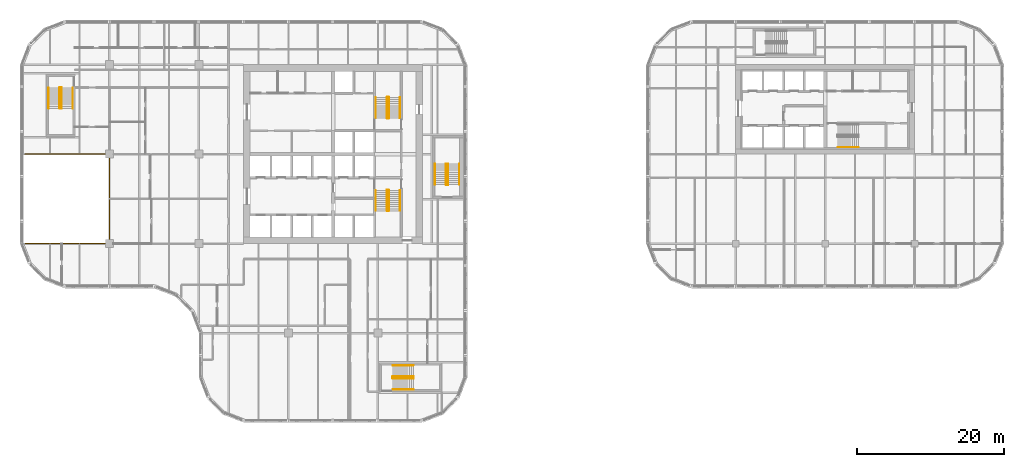
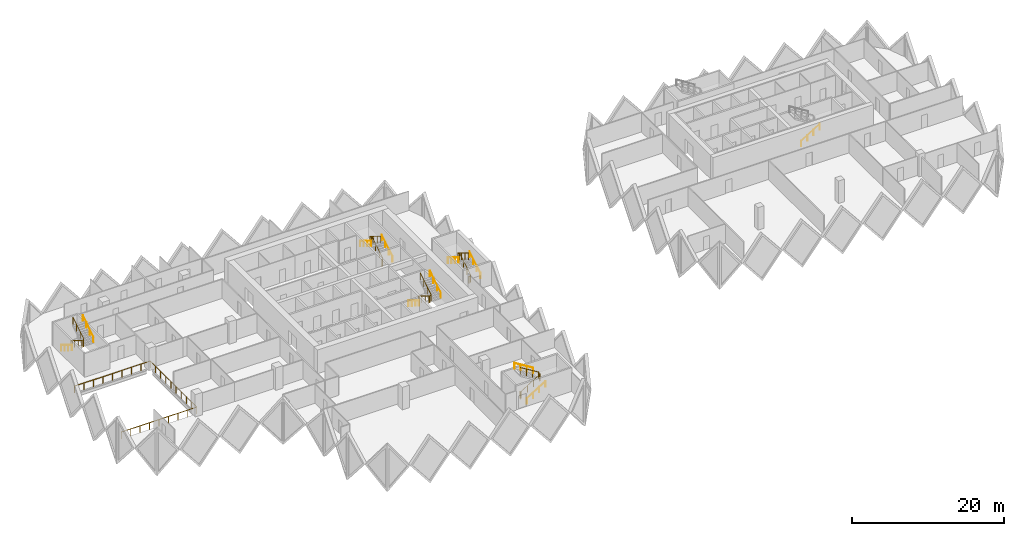
# One storey, part 17 of 18: 17 railings.
"""IFC4 building model written with IfcOpenShell, lengths in metres."""

from ifc_helpers import new_model, si_unit, direction, frame, origin, origin_2d, place, context, subcontext, project, spatial, circle, extrude, material, type_object, element, save


model = new_model("IFC4")

# Units and contexts
model_context = context("Model", 3, precision=1e-05, world=origin(), true_north=direction((0.0, 1.0)))
body_context = subcontext(model_context, "Body", "Model", "MODEL_VIEW")
ifc_project = project(units=[si_unit("LENGTHUNIT", "METRE"), si_unit("AREAUNIT", "SQUARE_METRE"), si_unit("VOLUMEUNIT", "CUBIC_METRE"), si_unit("PLANEANGLEUNIT", "RADIAN"), si_unit("MASSUNIT", "GRAM", prefix="KILO")], contexts=[model_context])

# Site, building, storey
site_placement = place(None, origin())
site = spatial("IfcSite", under=ifc_project, at=site_placement, CompositionType="ELEMENT")
building_placement = place(site_placement, origin())
building = spatial("IfcBuilding", under=site, at=building_placement, Name="Tessera Gate Towers", CompositionType="ELEMENT")
storey_placement = place(building_placement, frame((0.0, 0.0, 37.199951171875)))
storey = spatial("IfcBuildingStorey", under=building, at=storey_placement, Name="L08", CompositionType="ELEMENT", Elevation=37.199951171875)

# Railings
ifc_material_1 = material(Name="Toughened glass with stainless steel handrail", Category="steel")
railing_type_1 = type_object("IfcRailingType", Name="GUARD 1100 GLASS BALUSTRADE", PredefinedType="GUARDRAIL", material=ifc_material_1)
railing_1_placement = place(storey_placement, frame((0.750244140625, 24.39990234375, 0.0)))
element("IfcRailing", 1, at=railing_1_placement, inside=storey, type_object=railing_type_1, Name="Guard", PredefinedType="GUARDRAIL", context=body_context, shape_type="SweptSolid", body=[
    extrude(circle(Radius=0.02490234375, at=origin_2d()), frame((0.0, 0.0, 1.0751953125), z_axis=(1.0, 0.0, 0.0), x_axis=(0.0, 1.0, 0.0)), (0.0, 0.0, 1.0), 11.44970703125),
    extrude(circle(Radius=0.02490234375, at=origin_2d()), frame((11.44970703125, 0.0, 1.0751953125), z_axis=(0.0, 1.0, 0.0), x_axis=(-1.0, 0.0, 0.0)), (0.0, 0.0, 1.0), 12.2001953125),
    extrude(circle(Radius=0.02490234375, at=origin_2d()), frame((11.44970703125, 12.2001953125, 1.0751953125), z_axis=(-1.0, 0.0, 0.0), x_axis=(0.0, -1.0, 0.0)), (0.0, 0.0, 1.0), 11.5),
    extrude(circle(Radius=0.02490234375, at=origin_2d()), origin(), (0.0, 0.0, 1.0), 1.050048828125),
    extrude(circle(Radius=0.02490234375, at=origin_2d()), frame((1.43115234375, 0.0, 0.0)), (0.0, 0.0, 1.0), 1.050048828125),
    extrude(circle(Radius=0.02490234375, at=origin_2d()), frame((2.8623046875, 0.0, 0.0)), (0.0, 0.0, 1.0), 1.050048828125),
    extrude(circle(Radius=0.02490234375, at=origin_2d()), frame((4.293701171875, 0.0, 0.0)), (0.0, 0.0, 1.0), 1.050048828125),
    extrude(circle(Radius=0.02490234375, at=origin_2d()), frame((5.724853515625, 0.0, 0.0)), (0.0, 0.0, 1.0), 1.050048828125),
    extrude(circle(Radius=0.02490234375, at=origin_2d()), frame((7.156005859375, 0.0, 0.0)), (0.0, 0.0, 1.0), 1.050048828125),
    extrude(circle(Radius=0.02490234375, at=origin_2d()), frame((8.58740234375, 0.0, 0.0)), (0.0, 0.0, 1.0), 1.050048828125),
    extrude(circle(Radius=0.02490234375, at=origin_2d()), frame((10.0185546875, 0.0, 0.0)), (0.0, 0.0, 1.0), 1.050048828125),
    extrude(circle(Radius=0.02490234375, at=origin_2d()), frame((11.44970703125, 0.0, 0.0)), (0.0, 0.0, 1.0), 1.050048828125),
    extrude(circle(Radius=0.02490234375, at=origin_2d()), frame((11.44970703125, 1.35546875, 0.0)), (0.0, 0.0, 1.0), 1.050048828125),
    extrude(circle(Radius=0.02490234375, at=origin_2d()), frame((11.44970703125, 2.711181640625, 0.0)), (0.0, 0.0, 1.0), 1.050048828125),
    extrude(circle(Radius=0.02490234375, at=origin_2d()), frame((11.44970703125, 4.066650390625, 0.0)), (0.0, 0.0, 1.0), 1.050048828125),
    extrude(circle(Radius=0.02490234375, at=origin_2d()), frame((11.44970703125, 5.42236328125, 0.0)), (0.0, 0.0, 1.0), 1.050048828125),
    extrude(circle(Radius=0.02490234375, at=origin_2d()), frame((11.44970703125, 6.77783203125, 0.0)), (0.0, 0.0, 1.0), 1.050048828125),
    extrude(circle(Radius=0.02490234375, at=origin_2d()), frame((11.44970703125, 8.133544921875, 0.0)), (0.0, 0.0, 1.0), 1.050048828125),
    extrude(circle(Radius=0.02490234375, at=origin_2d()), frame((11.44970703125, 9.489013671875, 0.0)), (0.0, 0.0, 1.0), 1.050048828125),
    extrude(circle(Radius=0.02490234375, at=origin_2d()), frame((11.44970703125, 10.8447265625, 0.0)), (0.0, 0.0, 1.0), 1.050048828125),
    extrude(circle(Radius=0.02490234375, at=origin_2d()), frame((11.44970703125, 12.2001953125, 0.0)), (0.0, 0.0, 1.0), 1.050048828125),
    extrude(circle(Radius=0.02490234375, at=origin_2d()), frame((10.01220703125, 12.2001953125, 0.0)), (0.0, 0.0, 1.0), 1.050048828125),
    extrude(circle(Radius=0.02490234375, at=origin_2d()), frame((8.57470703125, 12.2001953125, 0.0)), (0.0, 0.0, 1.0), 1.050048828125),
    extrude(circle(Radius=0.02490234375, at=origin_2d()), frame((7.13720703125, 12.2001953125, 0.0)), (0.0, 0.0, 1.0), 1.050048828125),
    extrude(circle(Radius=0.02490234375, at=origin_2d()), frame((5.69970703125, 12.2001953125, 0.0)), (0.0, 0.0, 1.0), 1.050048828125),
    extrude(circle(Radius=0.02490234375, at=origin_2d()), frame((4.26220703125, 12.2001953125, 0.0)), (0.0, 0.0, 1.0), 1.050048828125),
    extrude(circle(Radius=0.02490234375, at=origin_2d()), frame((2.82470703125, 12.2001953125, 0.0)), (0.0, 0.0, 1.0), 1.050048828125),
    extrude(circle(Radius=0.02490234375, at=origin_2d()), frame((1.38720703125, 12.2001953125, 0.0)), (0.0, 0.0, 1.0), 1.050048828125),
    extrude(circle(Radius=0.02490234375, at=origin_2d()), frame((-0.05029296875, 12.2001953125, 0.0)), (0.0, 0.0, 1.0), 1.050048828125),
])
ifc_material_2 = material(Name="Steel 350W", Category="steel")
railing_type_2 = type_object("IfcRailingType", Name="STAIR GUARD 1100", PredefinedType="GUARDRAIL", material=ifc_material_2)
railing_2_placement = place(storey_placement, frame((50.27490234375, 31.72509765625, 0.0)))
element("IfcRailing", 2, at=railing_2_placement, inside=storey, type_object=railing_type_2, Name="L08 ST1 stair guard 1", PredefinedType="GUARDRAIL", context=body_context, shape_type="SweptSolid", body=[
    extrude(circle(Radius=0.02392578125, at=origin_2d()), frame((0.0, 0.0, 1.076171875), z_axis=(-1.0, 0.0, 0.0), x_axis=(0.0, -1.0, 0.0)), (0.0, 0.0, 1.0), 0.199951171875),
    extrude(circle(Radius=0.02392578125, at=origin_2d()), frame((-0.199951171875, 0.0, 1.076171875), z_axis=(-0.267953482034, -0.267953482034, 0.925419830635), x_axis=(0.707106781187, -0.707106781187, 0.0)), (0.0, 0.0, 1.0), 0.186767578125),
    extrude(circle(Radius=0.02392578125, at=origin_2d()), frame((-0.25, -0.050048828125, 1.2490234375), z_axis=(0.0, -0.851089632645, 0.525020415988), x_axis=(1.0, 0.0, 0.0)), (0.0, 0.0, 1.0), 3.2900390625),
    extrude(circle(Radius=0.02392578125, at=origin_2d()), frame((-0.25, -2.85009765625, 2.97607421875), z_axis=(0.707106781187, -0.707106781187, 0.0), x_axis=(0.707106781187, 0.707106781187, 0.0)), (0.0, 0.0, 1.0), 0.07080078125),
    extrude(circle(Radius=0.02392578125, at=origin_2d()), frame((-0.199951171875, -2.900146484375, 2.97607421875), z_axis=(1.0, 0.0, 0.0), x_axis=(0.0, 1.0, 0.0)), (0.0, 0.0, 1.0), 0.199951171875),
    extrude(circle(Radius=0.02392578125, at=origin_2d()), frame((0.0, -2.900146484375, 2.97607421875), z_axis=(0.268277960024, 0.268277960024, 0.925231793839), x_axis=(-0.707106781187, 0.707106781187, 0.0)), (0.0, 0.0, 1.0), 0.1865234375),
    extrude(circle(Radius=0.02392578125, at=origin_2d()), frame((0.050048828125, -2.85009765625, 3.14892578125), z_axis=(0.0, 0.851089632645, 0.525020415988), x_axis=(-1.0, 0.0, 0.0)), (0.0, 0.0, 1.0), 3.2900390625),
    extrude(circle(Radius=0.02099609375, at=origin_2d()), origin(), (0.0, 0.0, 1.0), 1.052001953125),
    extrude(circle(Radius=0.02099609375, at=origin_2d()), frame((-0.199951171875, 0.0, 0.0)), (0.0, 0.0, 1.0), 1.052001953125),
    extrude(circle(Radius=0.02099609375, at=origin_2d()), frame((-0.25, -0.050048828125, 0.1728515625)), (0.0, 0.0, 1.0), 1.052001953125),
    extrude(circle(Radius=0.02099609375, at=origin_2d()), frame((-0.25, -0.9833984375, 0.74853515625)), (0.0, 0.0, 1.0), 1.052001953125),
    extrude(circle(Radius=0.02099609375, at=origin_2d()), frame((-0.25, -1.916748046875, 1.324462890625)), (0.0, 0.0, 1.0), 1.052001953125),
    extrude(circle(Radius=0.02099609375, at=origin_2d()), frame((-0.25, -2.85009765625, 1.900146484375)), (0.0, 0.0, 1.0), 1.052001953125),
    extrude(circle(Radius=0.02099609375, at=origin_2d()), frame((-0.199951171875, -2.900146484375, 1.900146484375)), (0.0, 0.0, 1.0), 1.052001953125),
    extrude(circle(Radius=0.02099609375, at=origin_2d()), frame((0.0, -2.900146484375, 1.900146484375)), (0.0, 0.0, 1.0), 1.052001953125),
    extrude(circle(Radius=0.02099609375, at=origin_2d()), frame((0.050048828125, -2.85009765625, 2.07275390625)), (0.0, 0.0, 1.0), 1.052001953125),
    extrude(circle(Radius=0.02099609375, at=origin_2d()), frame((0.050048828125, -1.916748046875, 2.6484375)), (0.0, 0.0, 1.0), 1.052001953125),
    extrude(circle(Radius=0.02099609375, at=origin_2d()), frame((0.050048828125, -0.9833984375, 3.224365234375)), (0.0, 0.0, 1.0), 1.052001953125),
    extrude(circle(Radius=0.02099609375, at=origin_2d()), frame((0.050048828125, -0.050048828125, 3.800048828125)), (0.0, 0.0, 1.0), 1.052001953125),
])
railing_3_placement = place(storey_placement, frame((50.074951171875, 41.47509765625, 0.0)))
element("IfcRailing", 3, at=railing_3_placement, inside=storey, type_object=railing_type_2, Name="L08 ST2 stair guard 1", PredefinedType="GUARDRAIL", context=body_context, shape_type="SweptSolid", body=[
    extrude(circle(Radius=0.02392578125, at=origin_2d()), frame((0.0, 0.0, 1.076171875), z_axis=(1.0, 0.0, 0.0), x_axis=(0.0, 1.0, 0.0)), (0.0, 0.0, 1.0), 0.199951171875),
    extrude(circle(Radius=0.02392578125, at=origin_2d()), frame((0.199951171875, 0.0, 1.076171875), z_axis=(0.268047150085, 0.266739603011, 0.925743328097), x_axis=(-0.705375805398, 0.708833529934, 0.0)), (0.0, 0.0, 1.0), 0.186767578125),
    extrude(circle(Radius=0.02392578125, at=origin_2d()), frame((0.25, 0.0498046875, 1.2490234375), z_axis=(0.0, 0.851089632645, 0.525020415988), x_axis=(-1.0, 0.0, 0.0)), (0.0, 0.0, 1.0), 3.2900390625),
    extrude(circle(Radius=0.02392578125, at=origin_2d()), frame((0.25, 2.849853515625, 2.97607421875), z_axis=(-0.707106781187, 0.707106781187, 0.0), x_axis=(-0.707106781187, -0.707106781187, 0.0)), (0.0, 0.0, 1.0), 0.07080078125),
    extrude(circle(Radius=0.02392578125, at=origin_2d()), frame((0.199951171875, 2.89990234375, 2.97607421875), z_axis=(-1.0, 0.0, 0.0), x_axis=(0.0, -1.0, 0.0)), (0.0, 0.0, 1.0), 0.199951171875),
    extrude(circle(Radius=0.02392578125, at=origin_2d()), frame((0.0, 2.89990234375, 2.97607421875), z_axis=(-0.268277960024, -0.268277960024, 0.925231793839), x_axis=(0.707106781187, -0.707106781187, 0.0)), (0.0, 0.0, 1.0), 0.1865234375),
    extrude(circle(Radius=0.02392578125, at=origin_2d()), frame((-0.050048828125, 2.849853515625, 3.14892578125), z_axis=(0.0, -0.851089632645, 0.525020415988), x_axis=(1.0, 0.0, 0.0)), (0.0, 0.0, 1.0), 3.2900390625),
    extrude(circle(Radius=0.02099609375, at=origin_2d()), origin(), (0.0, 0.0, 1.0), 1.052001953125),
    extrude(circle(Radius=0.02099609375, at=origin_2d()), frame((0.199951171875, 0.0, 0.0)), (0.0, 0.0, 1.0), 1.052001953125),
    extrude(circle(Radius=0.02099609375, at=origin_2d()), frame((0.25, 0.0498046875, 0.1728515625)), (0.0, 0.0, 1.0), 1.052001953125),
    extrude(circle(Radius=0.02099609375, at=origin_2d()), frame((0.25, 0.983154296875, 0.74853515625)), (0.0, 0.0, 1.0), 1.052001953125),
    extrude(circle(Radius=0.02099609375, at=origin_2d()), frame((0.25, 1.91650390625, 1.324462890625)), (0.0, 0.0, 1.0), 1.052001953125),
    extrude(circle(Radius=0.02099609375, at=origin_2d()), frame((0.25, 2.849853515625, 1.900146484375)), (0.0, 0.0, 1.0), 1.052001953125),
    extrude(circle(Radius=0.02099609375, at=origin_2d()), frame((0.199951171875, 2.89990234375, 1.900146484375)), (0.0, 0.0, 1.0), 1.052001953125),
    extrude(circle(Radius=0.02099609375, at=origin_2d()), frame((0.0, 2.89990234375, 1.900146484375)), (0.0, 0.0, 1.0), 1.052001953125),
    extrude(circle(Radius=0.02099609375, at=origin_2d()), frame((-0.050048828125, 2.849853515625, 2.07275390625)), (0.0, 0.0, 1.0), 1.052001953125),
    extrude(circle(Radius=0.02099609375, at=origin_2d()), frame((-0.050048828125, 1.91650390625, 2.6484375)), (0.0, 0.0, 1.0), 1.052001953125),
    extrude(circle(Radius=0.02099609375, at=origin_2d()), frame((-0.050048828125, 0.983154296875, 3.224365234375)), (0.0, 0.0, 1.0), 1.052001953125),
    extrude(circle(Radius=0.02099609375, at=origin_2d()), frame((-0.050048828125, 0.0498046875, 3.800048828125)), (0.0, 0.0, 1.0), 1.052001953125),
])
railing_4_placement = place(storey_placement, frame((5.64990234375, 45.699951171875, 0.0)))
element("IfcRailing", 4, at=railing_4_placement, inside=storey, type_object=railing_type_2, Name="L08 ST3 stair guard 1", PredefinedType="GUARDRAIL", context=body_context, shape_type="SweptSolid", body=[
    extrude(circle(Radius=0.02392578125, at=origin_2d()), frame((0.0, 0.0, 1.076171875), z_axis=(-1.0, 0.0, 0.0), x_axis=(0.0, -1.0, 0.0)), (0.0, 0.0, 1.0), 0.199951171875),
    extrude(circle(Radius=0.02392578125, at=origin_2d()), frame((-0.199951171875, 0.0, 1.076171875), z_axis=(-0.267953482034, -0.267953482034, 0.925419830635), x_axis=(0.707106781187, -0.707106781187, 0.0)), (0.0, 0.0, 1.0), 0.186767578125),
    extrude(circle(Radius=0.02392578125, at=origin_2d()), frame((-0.25, -0.050048828125, 1.2490234375), z_axis=(0.0, -0.851069175582, 0.525053576669), x_axis=(1.0, 0.0, 0.0)), (0.0, 0.0, 1.0), 3.289794921875),
    extrude(circle(Radius=0.02392578125, at=origin_2d()), frame((-0.25, -2.849853515625, 2.97607421875), z_axis=(0.707106781187, -0.707106781187, 0.0), x_axis=(0.707106781187, 0.707106781187, 0.0)), (0.0, 0.0, 1.0), 0.07080078125),
    extrude(circle(Radius=0.02392578125, at=origin_2d()), frame((-0.199951171875, -2.89990234375, 2.97607421875), z_axis=(1.0, 0.0, 0.0), x_axis=(0.0, 1.0, 0.0)), (0.0, 0.0, 1.0), 0.199951171875),
    extrude(circle(Radius=0.02392578125, at=origin_2d()), frame((0.0, -2.89990234375, 2.97607421875), z_axis=(0.268277960024, 0.268277960024, 0.925231793839), x_axis=(-0.707106781187, 0.707106781187, 0.0)), (0.0, 0.0, 1.0), 0.1865234375),
    extrude(circle(Radius=0.02392578125, at=origin_2d()), frame((0.050048828125, -2.849853515625, 3.14892578125), z_axis=(0.0, 0.851069175582, 0.525053576669), x_axis=(-1.0, 0.0, 0.0)), (0.0, 0.0, 1.0), 3.289794921875),
    extrude(circle(Radius=0.02099609375, at=origin_2d()), origin(), (0.0, 0.0, 1.0), 1.052001953125),
    extrude(circle(Radius=0.02099609375, at=origin_2d()), frame((-0.199951171875, 0.0, 0.0)), (0.0, 0.0, 1.0), 1.052001953125),
    extrude(circle(Radius=0.02099609375, at=origin_2d()), frame((-0.25, -0.050048828125, 0.1728515625)), (0.0, 0.0, 1.0), 1.052001953125),
    extrude(circle(Radius=0.02099609375, at=origin_2d()), frame((-0.25, -0.9833984375, 0.74853515625)), (0.0, 0.0, 1.0), 1.052001953125),
    extrude(circle(Radius=0.02099609375, at=origin_2d()), frame((-0.25, -1.91650390625, 1.324462890625)), (0.0, 0.0, 1.0), 1.052001953125),
    extrude(circle(Radius=0.02099609375, at=origin_2d()), frame((-0.25, -2.849853515625, 1.900146484375)), (0.0, 0.0, 1.0), 1.052001953125),
    extrude(circle(Radius=0.02099609375, at=origin_2d()), frame((-0.199951171875, -2.89990234375, 1.900146484375)), (0.0, 0.0, 1.0), 1.052001953125),
    extrude(circle(Radius=0.02099609375, at=origin_2d()), frame((0.0, -2.89990234375, 1.900146484375)), (0.0, 0.0, 1.0), 1.052001953125),
    extrude(circle(Radius=0.02099609375, at=origin_2d()), frame((0.050048828125, -2.849853515625, 2.07275390625)), (0.0, 0.0, 1.0), 1.052001953125),
    extrude(circle(Radius=0.02099609375, at=origin_2d()), frame((0.050048828125, -1.91650390625, 2.6484375)), (0.0, 0.0, 1.0), 1.052001953125),
    extrude(circle(Radius=0.02099609375, at=origin_2d()), frame((0.050048828125, -0.9833984375, 3.224365234375)), (0.0, 0.0, 1.0), 1.052001953125),
    extrude(circle(Radius=0.02099609375, at=origin_2d()), frame((0.050048828125, -0.050048828125, 3.800048828125)), (0.0, 0.0, 1.0), 1.052001953125),
])
railing_5_placement = place(storey_placement, frame((50.800048828125, 6.25, 0.0)))
element("IfcRailing", 5, at=railing_5_placement, inside=storey, type_object=railing_type_2, Name="L08 ST4 stair guard 1", PredefinedType="GUARDRAIL", context=body_context, shape_type="SweptSolid", body=[
    extrude(circle(Radius=0.02392578125, at=origin_2d()), frame((0.0, 0.0, 1.076171875), z_axis=(0.0, -1.0, 0.0), x_axis=(1.0, 0.0, 0.0)), (0.0, 0.0, 1.0), 0.199951171875),
    extrude(circle(Radius=0.02392578125, at=origin_2d()), frame((0.0, -0.199951171875, 1.076171875), z_axis=(0.267953482034, -0.267953482034, 0.925419830635), x_axis=(0.707106781187, 0.707106781187, 0.0)), (0.0, 0.0, 1.0), 0.186767578125),
    extrude(circle(Radius=0.02392578125, at=origin_2d()), frame((0.050048828125, -0.25, 1.2490234375), z_axis=(0.851069175582, 0.0, 0.525053576669), x_axis=(0.0, 1.0, 0.0)), (0.0, 0.0, 1.0), 3.289794921875),
    extrude(circle(Radius=0.02392578125, at=origin_2d()), frame((2.849853515625, -0.25, 2.97607421875), z_axis=(0.707106781187, 0.707106781187, 0.0), x_axis=(-0.707106781187, 0.707106781187, 0.0)), (0.0, 0.0, 1.0), 0.07080078125),
    extrude(circle(Radius=0.02392578125, at=origin_2d()), frame((2.89990234375, -0.199951171875, 2.97607421875), z_axis=(0.0, 1.0, 0.0), x_axis=(-1.0, 0.0, 0.0)), (0.0, 0.0, 1.0), 0.199951171875),
    extrude(circle(Radius=0.02392578125, at=origin_2d()), frame((2.89990234375, 0.0, 2.97607421875), z_axis=(-0.268277960024, 0.268277960024, 0.925231793839), x_axis=(-0.707106781187, -0.707106781187, 0.0)), (0.0, 0.0, 1.0), 0.1865234375),
    extrude(circle(Radius=0.02392578125, at=origin_2d()), frame((2.849853515625, 0.050048828125, 3.14892578125), z_axis=(-0.851069175582, 0.0, 0.525053576669), x_axis=(0.0, -1.0, 0.0)), (0.0, 0.0, 1.0), 3.289794921875),
    extrude(circle(Radius=0.02099609375, at=origin_2d()), origin(), (0.0, 0.0, 1.0), 1.052001953125),
    extrude(circle(Radius=0.02099609375, at=origin_2d()), frame((0.0, -0.199951171875, 0.0)), (0.0, 0.0, 1.0), 1.052001953125),
    extrude(circle(Radius=0.02099609375, at=origin_2d()), frame((0.050048828125, -0.25, 0.1728515625)), (0.0, 0.0, 1.0), 1.052001953125),
    extrude(circle(Radius=0.02099609375, at=origin_2d()), frame((0.9833984375, -0.25, 0.74853515625)), (0.0, 0.0, 1.0), 1.052001953125),
    extrude(circle(Radius=0.02099609375, at=origin_2d()), frame((1.91650390625, -0.25, 1.324462890625)), (0.0, 0.0, 1.0), 1.052001953125),
    extrude(circle(Radius=0.02099609375, at=origin_2d()), frame((2.849853515625, -0.25, 1.900146484375)), (0.0, 0.0, 1.0), 1.052001953125),
    extrude(circle(Radius=0.02099609375, at=origin_2d()), frame((2.89990234375, -0.199951171875, 1.900146484375)), (0.0, 0.0, 1.0), 1.052001953125),
    extrude(circle(Radius=0.02099609375, at=origin_2d()), frame((2.89990234375, 0.0, 1.900146484375)), (0.0, 0.0, 1.0), 1.052001953125),
    extrude(circle(Radius=0.02099609375, at=origin_2d()), frame((2.849853515625, 0.050048828125, 2.07275390625)), (0.0, 0.0, 1.0), 1.052001953125),
    extrude(circle(Radius=0.02099609375, at=origin_2d()), frame((1.91650390625, 0.050048828125, 2.6484375)), (0.0, 0.0, 1.0), 1.052001953125),
    extrude(circle(Radius=0.02099609375, at=origin_2d()), frame((0.9833984375, 0.050048828125, 3.224365234375)), (0.0, 0.0, 1.0), 1.052001953125),
    extrude(circle(Radius=0.02099609375, at=origin_2d()), frame((0.050048828125, 0.050048828125, 3.800048828125)), (0.0, 0.0, 1.0), 1.052001953125),
])
railing_6_placement = place(storey_placement, frame((58.14990234375, 32.39990234375, 0.0)))
element("IfcRailing", 6, at=railing_6_placement, inside=storey, type_object=railing_type_2, Name="L08 ST5 stair guard 1", PredefinedType="GUARDRAIL", context=body_context, shape_type="SweptSolid", body=[
    extrude(circle(Radius=0.02392578125, at=origin_2d()), frame((0.0, 0.0, 1.076171875), z_axis=(1.0, 0.0, 0.0), x_axis=(0.0, 1.0, 0.0)), (0.0, 0.0, 1.0), 0.2001953125),
    extrude(circle(Radius=0.02392578125, at=origin_2d()), frame((0.2001953125, 0.0, 1.076171875), z_axis=(0.266739603011, 0.268047150085, 0.925743328097), x_axis=(-0.708833529934, 0.705375805398, 0.0)), (0.0, 0.0, 1.0), 0.186767578125),
    extrude(circle(Radius=0.02392578125, at=origin_2d()), frame((0.25, 0.050048828125, 1.2490234375), z_axis=(0.0, 0.851089632645, 0.525020415988), x_axis=(-1.0, 0.0, 0.0)), (0.0, 0.0, 1.0), 3.2900390625),
    extrude(circle(Radius=0.02392578125, at=origin_2d()), frame((0.25, 2.85009765625, 2.97607421875), z_axis=(-0.705375805398, 0.708833529934, 0.0), x_axis=(-0.708833529934, -0.705375805398, 0.0)), (0.0, 0.0, 1.0), 0.070556640625),
    extrude(circle(Radius=0.02392578125, at=origin_2d()), frame((0.2001953125, 2.900146484375, 2.97607421875), z_axis=(-1.0, 0.0, 0.0), x_axis=(0.0, -1.0, 0.0)), (0.0, 0.0, 1.0), 0.2001953125),
    extrude(circle(Radius=0.02392578125, at=origin_2d()), frame((0.0, 2.900146484375, 2.97607421875), z_axis=(-0.267062837333, -0.268371968888, 0.925556009775), x_axis=(0.708833529934, -0.705375805398, 0.0)), (0.0, 0.0, 1.0), 0.1865234375),
    extrude(circle(Radius=0.02392578125, at=origin_2d()), frame((-0.0498046875, 2.85009765625, 3.14892578125), z_axis=(0.0, -0.851089632645, 0.525020415988), x_axis=(1.0, 0.0, 0.0)), (0.0, 0.0, 1.0), 3.2900390625),
    extrude(circle(Radius=0.02099609375, at=origin_2d()), origin(), (0.0, 0.0, 1.0), 1.052001953125),
    extrude(circle(Radius=0.02099609375, at=origin_2d()), frame((0.2001953125, 0.0, 0.0)), (0.0, 0.0, 1.0), 1.052001953125),
    extrude(circle(Radius=0.02099609375, at=origin_2d()), frame((0.25, 0.050048828125, 0.1728515625)), (0.0, 0.0, 1.0), 1.052001953125),
    extrude(circle(Radius=0.02099609375, at=origin_2d()), frame((0.25, 0.9833984375, 0.74853515625)), (0.0, 0.0, 1.0), 1.052001953125),
    extrude(circle(Radius=0.02099609375, at=origin_2d()), frame((0.25, 1.916748046875, 1.324462890625)), (0.0, 0.0, 1.0), 1.052001953125),
    extrude(circle(Radius=0.02099609375, at=origin_2d()), frame((0.25, 2.85009765625, 1.900146484375)), (0.0, 0.0, 1.0), 1.052001953125),
    extrude(circle(Radius=0.02099609375, at=origin_2d()), frame((0.2001953125, 2.900146484375, 1.900146484375)), (0.0, 0.0, 1.0), 1.052001953125),
    extrude(circle(Radius=0.02099609375, at=origin_2d()), frame((0.0, 2.900146484375, 1.900146484375)), (0.0, 0.0, 1.0), 1.052001953125),
    extrude(circle(Radius=0.02099609375, at=origin_2d()), frame((-0.0498046875, 2.85009765625, 2.07275390625)), (0.0, 0.0, 1.0), 1.052001953125),
    extrude(circle(Radius=0.02099609375, at=origin_2d()), frame((-0.0498046875, 1.916748046875, 2.6484375)), (0.0, 0.0, 1.0), 1.052001953125),
    extrude(circle(Radius=0.02099609375, at=origin_2d()), frame((-0.0498046875, 0.9833984375, 3.224365234375)), (0.0, 0.0, 1.0), 1.052001953125),
    extrude(circle(Radius=0.02099609375, at=origin_2d()), frame((-0.0498046875, 0.050048828125, 3.800048828125)), (0.0, 0.0, 1.0), 1.052001953125),
])
ifc_material_3 = material(Name="Steel 350W", Category="steel")
railing_type_3 = type_object("IfcRailingType", Name="STAIR HANDRAIL 900", PredefinedType="HANDRAIL", material=ifc_material_3)
railing_7_placement = place(storey_placement, frame((48.52490234375, 31.675048828125, 0.1728515625)))
element("IfcRailing", 7, at=railing_7_placement, inside=storey, type_object=railing_type_3, Name="L08 ST1 stair handrail 1", PredefinedType="HANDRAIL", context=body_context, shape_type="SweptSolid", body=[
    extrude(circle(Radius=0.02392578125, at=origin_2d()), frame((0.0, 0.0, 0.8759765625), z_axis=(0.0, -0.851089632645, 0.525020415988), x_axis=(1.0, 0.0, 0.0)), (0.0, 0.0, 1.0), 3.2900390625),
    extrude(circle(Radius=0.02099609375, at=origin_2d()), origin(), (0.0, 0.0, 1.0), 0.851806640625),
    extrude(circle(Radius=0.02099609375, at=origin_2d()), frame((0.0, -0.933349609375, 0.57568359375)), (0.0, 0.0, 1.0), 0.851806640625),
    extrude(circle(Radius=0.02099609375, at=origin_2d()), frame((0.0, -1.86669921875, 1.151611328125)), (0.0, 0.0, 1.0), 0.851806640625),
    extrude(circle(Radius=0.02099609375, at=origin_2d()), frame((0.0, -2.800048828125, 1.727294921875)), (0.0, 0.0, 1.0), 0.851806640625),
])
for number, where, name in (
    (8, (51.824951171875, 28.875, 2.07275390625), "L08 ST1 stair handrail 2"),
    (9, (51.824951171875, 41.52490234375, 0.1728515625), "L08 ST2 stair handrail 1"),
):
    element("IfcRailing", number, at=place(storey_placement, frame(where)), inside=storey, type_object=railing_type_3, Name=name, PredefinedType="HANDRAIL", context=body_context, shape_type="SweptSolid", body=[
        extrude(circle(Radius=0.02392578125, at=origin_2d()), frame((0.0, 0.0, 0.8759765625), z_axis=(0.0, 0.851089632645, 0.525020415988), x_axis=(-1.0, 0.0, 0.0)), (0.0, 0.0, 1.0), 3.2900390625),
        extrude(circle(Radius=0.02099609375, at=origin_2d()), origin(), (0.0, 0.0, 1.0), 0.851806640625),
        extrude(circle(Radius=0.02099609375, at=origin_2d()), frame((0.0, 0.933349609375, 0.57568359375)), (0.0, 0.0, 1.0), 0.851806640625),
        extrude(circle(Radius=0.02099609375, at=origin_2d()), frame((0.0, 1.86669921875, 1.151611328125)), (0.0, 0.0, 1.0), 0.851806640625),
        extrude(circle(Radius=0.02099609375, at=origin_2d()), frame((0.0, 2.800048828125, 1.727294921875)), (0.0, 0.0, 1.0), 0.851806640625),
    ])
railing_8_placement = place(storey_placement, frame((48.52490234375, 44.324951171875, 2.07275390625)))
element("IfcRailing", 10, at=railing_8_placement, inside=storey, type_object=railing_type_3, Name="L08 ST2 stair handrail 2", PredefinedType="HANDRAIL", context=body_context, shape_type="SweptSolid", body=[
    extrude(circle(Radius=0.02392578125, at=origin_2d()), frame((0.0, 0.0, 0.8759765625), z_axis=(0.0, -0.851089632645, 0.525020415988), x_axis=(1.0, 0.0, 0.0)), (0.0, 0.0, 1.0), 3.2900390625),
    extrude(circle(Radius=0.02099609375, at=origin_2d()), origin(), (0.0, 0.0, 1.0), 0.851806640625),
    extrude(circle(Radius=0.02099609375, at=origin_2d()), frame((0.0, -0.933349609375, 0.57568359375)), (0.0, 0.0, 1.0), 0.851806640625),
    extrude(circle(Radius=0.02099609375, at=origin_2d()), frame((0.0, -1.86669921875, 1.151611328125)), (0.0, 0.0, 1.0), 0.851806640625),
    extrude(circle(Radius=0.02099609375, at=origin_2d()), frame((0.0, -2.800048828125, 1.727294921875)), (0.0, 0.0, 1.0), 0.851806640625),
])
railing_9_placement = place(storey_placement, frame((3.89990234375, 45.64990234375, 0.1728515625)))
element("IfcRailing", 11, at=railing_9_placement, inside=storey, type_object=railing_type_3, Name="L08 ST3 stair handrail 1", PredefinedType="HANDRAIL", context=body_context, shape_type="SweptSolid", body=[
    extrude(circle(Radius=0.02392578125, at=origin_2d()), frame((0.0, 0.0, 0.8759765625), z_axis=(0.0, -0.851069175582, 0.525053576669), x_axis=(1.0, 0.0, 0.0)), (0.0, 0.0, 1.0), 3.289794921875),
    extrude(circle(Radius=0.02099609375, at=origin_2d()), origin(), (0.0, 0.0, 1.0), 0.851806640625),
    extrude(circle(Radius=0.02099609375, at=origin_2d()), frame((0.0, -0.933349609375, 0.57568359375)), (0.0, 0.0, 1.0), 0.851806640625),
    extrude(circle(Radius=0.02099609375, at=origin_2d()), frame((0.0, -1.866455078125, 1.151611328125)), (0.0, 0.0, 1.0), 0.851806640625),
    extrude(circle(Radius=0.02099609375, at=origin_2d()), frame((0.0, -2.7998046875, 1.727294921875)), (0.0, 0.0, 1.0), 0.851806640625),
])
railing_10_placement = place(storey_placement, frame((7.199951171875, 42.85009765625, 2.07275390625)))
element("IfcRailing", 12, at=railing_10_placement, inside=storey, type_object=railing_type_3, Name="L08 ST3 stair handrail 2", PredefinedType="HANDRAIL", context=body_context, shape_type="SweptSolid", body=[
    extrude(circle(Radius=0.02392578125, at=origin_2d()), frame((0.0, 0.0, 0.8759765625), z_axis=(0.0, 0.851069175582, 0.525053576669), x_axis=(-1.0, 0.0, 0.0)), (0.0, 0.0, 1.0), 3.289794921875),
    extrude(circle(Radius=0.02099609375, at=origin_2d()), origin(), (0.0, 0.0, 1.0), 0.851806640625),
    extrude(circle(Radius=0.02099609375, at=origin_2d()), frame((0.0, 0.933349609375, 0.57568359375)), (0.0, 0.0, 1.0), 0.851806640625),
    extrude(circle(Radius=0.02099609375, at=origin_2d()), frame((0.0, 1.866455078125, 1.151611328125)), (0.0, 0.0, 1.0), 0.851806640625),
    extrude(circle(Radius=0.02099609375, at=origin_2d()), frame((0.0, 2.7998046875, 1.727294921875)), (0.0, 0.0, 1.0), 0.851806640625),
])
railing_11_placement = place(storey_placement, frame((50.85009765625, 4.5, 0.1728515625)))
element("IfcRailing", 13, at=railing_11_placement, inside=storey, type_object=railing_type_3, Name="L08 ST4 stair handrail 1", PredefinedType="HANDRAIL", context=body_context, shape_type="SweptSolid", body=[
    extrude(circle(Radius=0.02392578125, at=origin_2d()), frame((0.0, 0.0, 0.8759765625), z_axis=(0.851069175582, 0.0, 0.525053576669), x_axis=(0.0, 1.0, 0.0)), (0.0, 0.0, 1.0), 3.289794921875),
    extrude(circle(Radius=0.02099609375, at=origin_2d()), origin(), (0.0, 0.0, 1.0), 0.851806640625),
    extrude(circle(Radius=0.02099609375, at=origin_2d()), frame((0.933349609375, 0.0, 0.57568359375)), (0.0, 0.0, 1.0), 0.851806640625),
    extrude(circle(Radius=0.02099609375, at=origin_2d()), frame((1.866455078125, 0.0, 1.151611328125)), (0.0, 0.0, 1.0), 0.851806640625),
    extrude(circle(Radius=0.02099609375, at=origin_2d()), frame((2.7998046875, 0.0, 1.727294921875)), (0.0, 0.0, 1.0), 0.851806640625),
])
railing_12_placement = place(storey_placement, frame((53.64990234375, 7.800048828125, 2.07275390625)))
element("IfcRailing", 14, at=railing_12_placement, inside=storey, type_object=railing_type_3, Name="L08 ST4 stair handrail 2", PredefinedType="HANDRAIL", context=body_context, shape_type="SweptSolid", body=[
    extrude(circle(Radius=0.02392578125, at=origin_2d()), frame((0.0, 0.0, 0.8759765625), z_axis=(-0.851069175582, 0.0, 0.525053576669), x_axis=(0.0, -1.0, 0.0)), (0.0, 0.0, 1.0), 3.289794921875),
    extrude(circle(Radius=0.02099609375, at=origin_2d()), origin(), (0.0, 0.0, 1.0), 0.851806640625),
    extrude(circle(Radius=0.02099609375, at=origin_2d()), frame((-0.933349609375, 0.0, 0.57568359375)), (0.0, 0.0, 1.0), 0.851806640625),
    extrude(circle(Radius=0.02099609375, at=origin_2d()), frame((-1.866455078125, 0.0, 1.151611328125)), (0.0, 0.0, 1.0), 0.851806640625),
    extrude(circle(Radius=0.02099609375, at=origin_2d()), frame((-2.7998046875, 0.0, 1.727294921875)), (0.0, 0.0, 1.0), 0.851806640625),
])
railing_13_placement = place(storey_placement, frame((59.89990234375, 32.449951171875, 0.1728515625)))
element("IfcRailing", 15, at=railing_13_placement, inside=storey, type_object=railing_type_3, Name="L08 ST5 stair handrail 1", PredefinedType="HANDRAIL", context=body_context, shape_type="SweptSolid", body=[
    extrude(circle(Radius=0.02392578125, at=origin_2d()), frame((0.0, 0.0, 0.8759765625), z_axis=(0.0, 0.851089632645, 0.525020415988), x_axis=(-1.0, 0.0, 0.0)), (0.0, 0.0, 1.0), 3.2900390625),
    extrude(circle(Radius=0.02099609375, at=origin_2d()), origin(), (0.0, 0.0, 1.0), 0.851806640625),
    extrude(circle(Radius=0.02099609375, at=origin_2d()), frame((0.0, 0.933349609375, 0.57568359375)), (0.0, 0.0, 1.0), 0.851806640625),
    extrude(circle(Radius=0.02099609375, at=origin_2d()), frame((0.0, 1.86669921875, 1.151611328125)), (0.0, 0.0, 1.0), 0.851806640625),
    extrude(circle(Radius=0.02099609375, at=origin_2d()), frame((0.0, 2.800048828125, 1.727294921875)), (0.0, 0.0, 1.0), 0.851806640625),
])
railing_14_placement = place(storey_placement, frame((56.60009765625, 35.25, 2.07275390625)))
element("IfcRailing", 16, at=railing_14_placement, inside=storey, type_object=railing_type_3, Name="L08 ST5 stair handrail 2", PredefinedType="HANDRAIL", context=body_context, shape_type="SweptSolid", body=[
    extrude(circle(Radius=0.02392578125, at=origin_2d()), frame((0.0, 0.0, 0.8759765625), z_axis=(0.0, -0.851089632645, 0.525020415988), x_axis=(1.0, 0.0, 0.0)), (0.0, 0.0, 1.0), 3.2900390625),
    extrude(circle(Radius=0.02099609375, at=origin_2d()), origin(), (0.0, 0.0, 1.0), 0.851806640625),
    extrude(circle(Radius=0.02099609375, at=origin_2d()), frame((0.0, -0.933349609375, 0.57568359375)), (0.0, 0.0, 1.0), 0.851806640625),
    extrude(circle(Radius=0.02099609375, at=origin_2d()), frame((0.0, -1.86669921875, 1.151611328125)), (0.0, 0.0, 1.0), 0.851806640625),
    extrude(circle(Radius=0.02099609375, at=origin_2d()), frame((0.0, -2.800048828125, 1.727294921875)), (0.0, 0.0, 1.0), 0.851806640625),
])
railing_15_placement = place(storey_placement, frame((111.550048828125, 37.550048828125, 0.1728515625)))
element("IfcRailing", 17, at=railing_15_placement, inside=storey, type_object=railing_type_3, Name="L08 ST6 stair handrail 1", PredefinedType="HANDRAIL", context=body_context, shape_type="SweptSolid", body=[
    extrude(circle(Radius=0.02392578125, at=origin_2d()), frame((0.0, 0.0, 0.8759765625), z_axis=(0.851089632645, 0.0, 0.525020415988), x_axis=(0.0, 1.0, 0.0)), (0.0, 0.0, 1.0), 3.2900390625),
    extrude(circle(Radius=0.02099609375, at=origin_2d()), origin(), (0.0, 0.0, 1.0), 0.851806640625),
    extrude(circle(Radius=0.02099609375, at=origin_2d()), frame((0.933349609375, 0.0, 0.57568359375)), (0.0, 0.0, 1.0), 0.851806640625),
    extrude(circle(Radius=0.02099609375, at=origin_2d()), frame((1.86669921875, 0.0, 1.151611328125)), (0.0, 0.0, 1.0), 0.851806640625),
    extrude(circle(Radius=0.02099609375, at=origin_2d()), frame((2.800048828125, 0.0, 1.727294921875)), (0.0, 0.0, 1.0), 0.851806640625),
])

save(model, "model.ifc")
